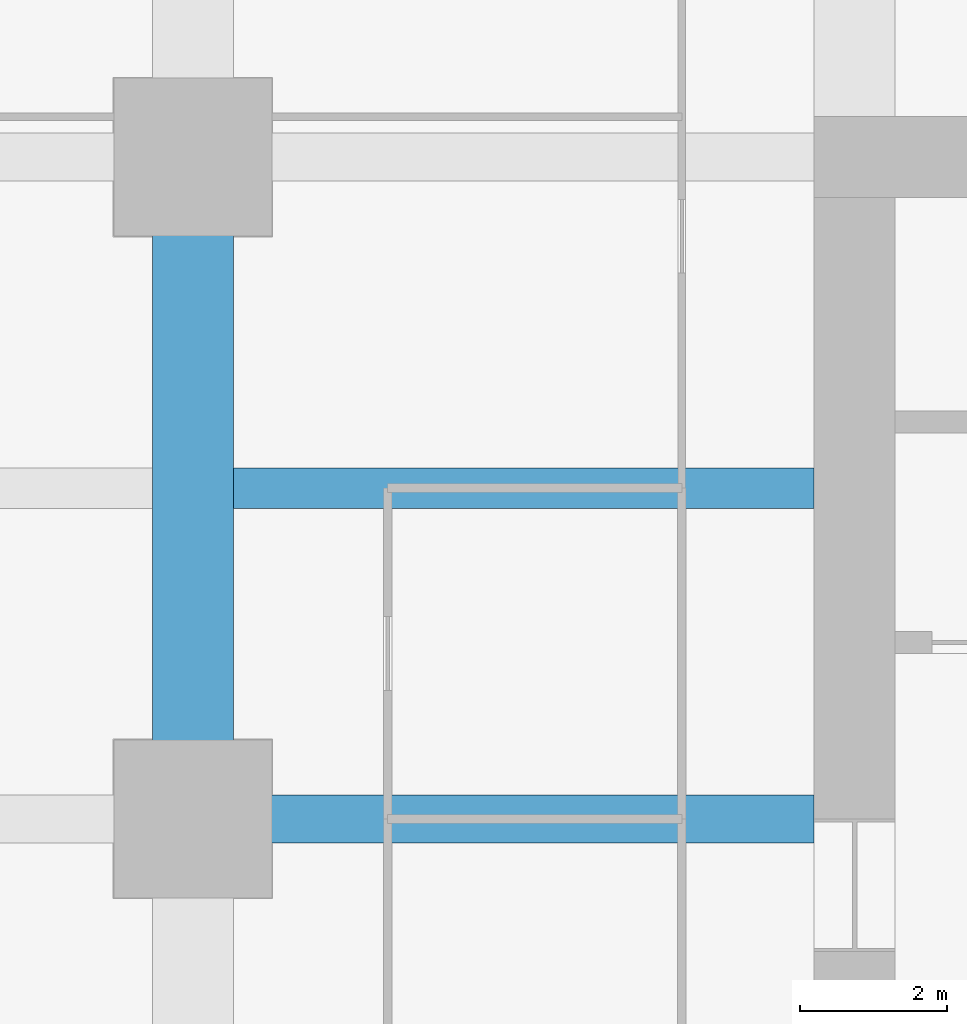
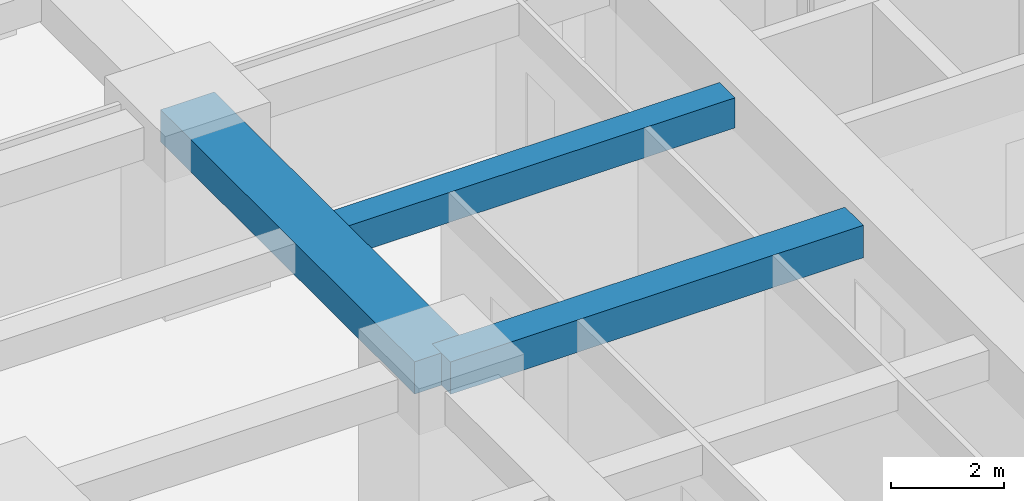
# One storey, part 12 of 44: 3 beams.
"""IFC4 building model written with IfcOpenShell, lengths in metres."""

from ifc_helpers import new_model, si_unit, direction, frame, origin, origin_2d, place, context, subcontext, project, spatial, rectangle, extrude, material, material_profile, profile_set, type_object, element, save


model = new_model("IFC4")

# Units and contexts
model_context = context("Model", 3, precision=1e-05, world=origin(), true_north=direction((0.0, 1.0)))
body_context = subcontext(model_context, "Body", "Model", "MODEL_VIEW")
ifc_project = project(units=[si_unit("LENGTHUNIT", "METRE"), si_unit("AREAUNIT", "SQUARE_METRE"), si_unit("VOLUMEUNIT", "CUBIC_METRE"), si_unit("PLANEANGLEUNIT", "RADIAN"), si_unit("MASSUNIT", "GRAM", prefix="KILO")], contexts=[model_context])

# Site, building, storey
site_placement = place(None, origin())
site = spatial("IfcSite", under=ifc_project, at=site_placement, CompositionType="ELEMENT")
building_placement = place(site_placement, origin())
building = spatial("IfcBuilding", under=site, at=building_placement, Name="Zorevar Civic Tower", CompositionType="ELEMENT")
storey_placement = place(building_placement, frame((0.0, 0.0, 55.800048828125)))
storey = spatial("IfcBuildingStorey", under=building, at=storey_placement, Name="L13", CompositionType="ELEMENT", Elevation=55.800048828125)

# Beams
ifc_material_1 = material(Name="Concrete C50/60", Category="concrete")
ifc_material_profile_1 = material_profile(ifc_material_1, rectangle(XDim=1.10009765625, YDim=0.699951171875, at=origin_2d()), Name="RC 1100x700")
ifc_profile_set_1 = profile_set([ifc_material_profile_1], Name="Concrete C50/60")
beam_type_1 = type_object("IfcBeamType", Name="Beam RC 1100x700", PredefinedType="BEAM", material=ifc_profile_set_1)
beam_1_placement = place(storey_placement, frame((9.0, 27.0, 3.39990234375), z_axis=(0.0, 1.0, 0.0), x_axis=(-1.0, 0.0, 0.0)))
element("IfcBeam", 1, at=beam_1_placement, inside=storey, type_object=beam_type_1, Name="Girder L14", PredefinedType="BEAM", context=body_context, shape_type="SweptSolid", body=[
    extrude(rectangle(XDim=1.10009765625, YDim=0.699951171875, at=origin_2d()), origin(), (0.0, 0.0, 1.0), 9.0),
])
ifc_material_2 = material(Name="Concrete C50/60", Category="concrete")
ifc_material_profile_2 = material_profile(ifc_material_2, rectangle(XDim=0.550048828125, YDim=0.64990234375, at=origin_2d()), Name="RC 550x650")
ifc_profile_set_2 = profile_set([ifc_material_profile_2], Name="Concrete C50/60")
beam_type_2 = type_object("IfcBeamType", Name="Beam RC 550x650", PredefinedType="BEAM", material=ifc_profile_set_2)
beam_2_placement = place(storey_placement, frame((9.550048828125, 31.5, 3.425048828125), z_axis=(1.0, 0.0, 0.0), x_axis=(0.0, 1.0, 0.0)))
element("IfcBeam", 2, at=beam_2_placement, inside=storey, type_object=beam_type_2, Name="Secondary beam L14", PredefinedType="BEAM", context=body_context, shape_type="SweptSolid", body=[
    extrude(rectangle(XDim=0.550048828125, YDim=0.64990234375, at=origin_2d()), origin(), (0.0, 0.0, 1.0), 7.89990234375),
])
ifc_material_3 = material(Name="Concrete C50/60", Category="concrete")
ifc_material_profile_3 = material_profile(ifc_material_3, rectangle(XDim=0.64990234375, YDim=0.699951171875, at=origin_2d()), Name="RC 650x700")
ifc_profile_set_3 = profile_set([ifc_material_profile_3], Name="Concrete C50/60")
beam_type_3 = type_object("IfcBeamType", Name="Beam RC 650x700", PredefinedType="BEAM", material=ifc_profile_set_3)
beam_3_placement = place(storey_placement, frame((9.0, 27.0, 3.39990234375), z_axis=(1.0, 0.0, 0.0), x_axis=(0.0, 1.0, 0.0)))
element("IfcBeam", 3, at=beam_3_placement, inside=storey, type_object=beam_type_3, Name="Girder L14", PredefinedType="BEAM", context=body_context, shape_type="SweptSolid", body=[
    extrude(rectangle(XDim=0.64990234375, YDim=0.699951171875, at=origin_2d()), origin(), (0.0, 0.0, 1.0), 8.449951171875),
])

save(model, "model.ifc")
